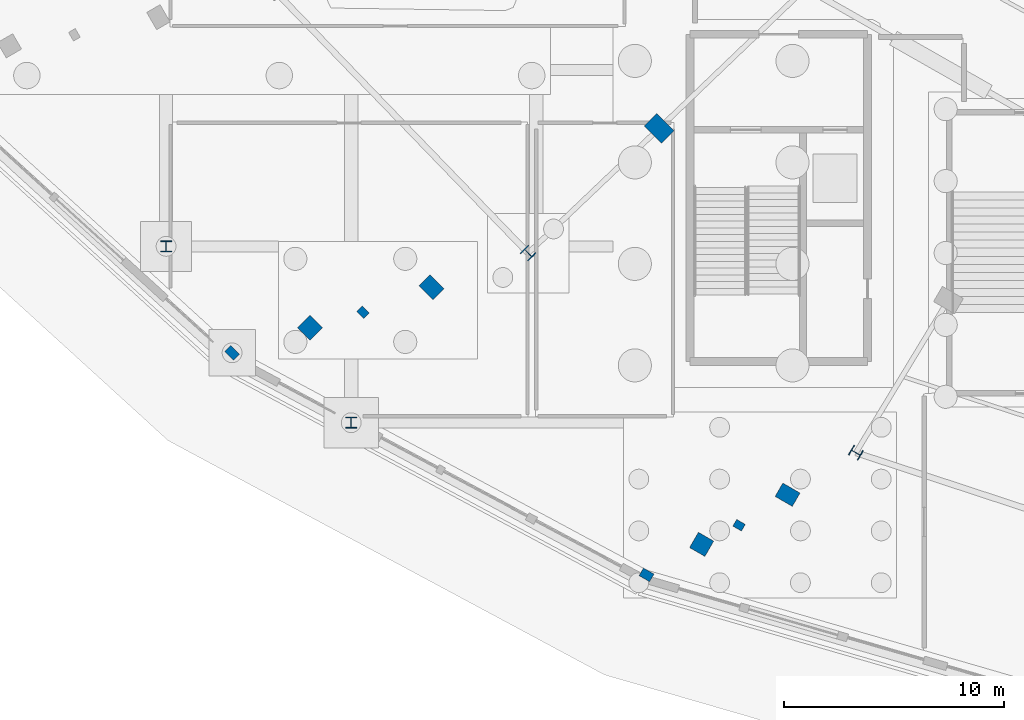
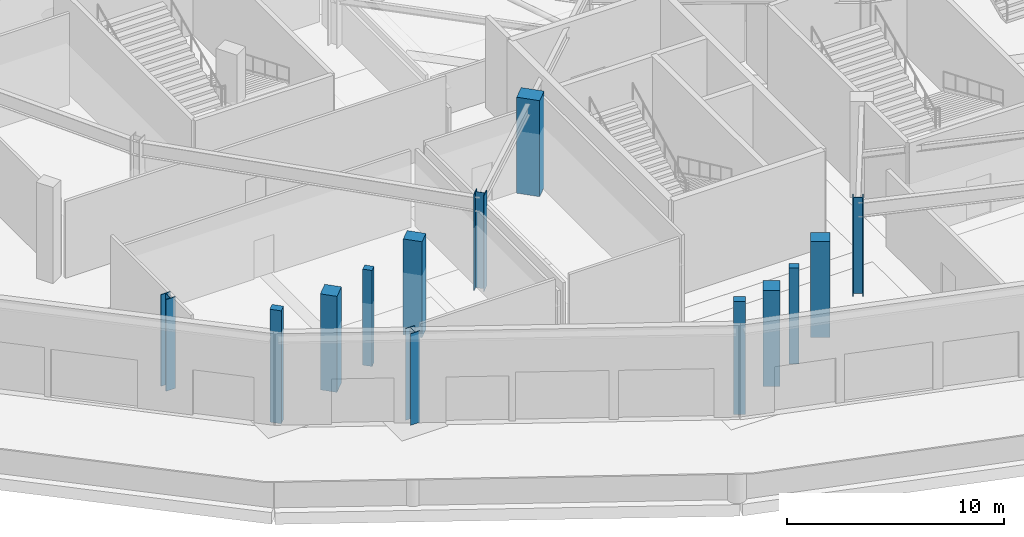
# One storey, part 10 of 93: 13 columns.
"""IFC4 building model written with IfcOpenShell, lengths in metres."""

from ifc_helpers import new_model, si_unit, direction, frame, origin, origin_2d, place, context, subcontext, project, spatial, rectangle, i_section, extrude, material, material_profile, profile_set, type_object, element, save


model = new_model("IFC4")

# Units and contexts
model_context = context("Model", 3, precision=1e-05, world=origin(), true_north=direction((0.0, 1.0)))
body_context = subcontext(model_context, "Body", "Model", "MODEL_VIEW")
ifc_project = project(units=[si_unit("LENGTHUNIT", "METRE"), si_unit("AREAUNIT", "SQUARE_METRE"), si_unit("VOLUMEUNIT", "CUBIC_METRE"), si_unit("PLANEANGLEUNIT", "RADIAN"), si_unit("MASSUNIT", "GRAM", prefix="KILO")], contexts=[model_context])

# Site, building, storey
site_placement = place(None, origin())
site = spatial("IfcSite", under=ifc_project, at=site_placement, CompositionType="ELEMENT")
building_placement = place(site_placement, origin())
building = spatial("IfcBuilding", under=site, at=building_placement, Name="Kalgoora Escarpment Arena", CompositionType="ELEMENT")
storey_placement = place(building_placement, origin())
storey = spatial("IfcBuildingStorey", under=building, at=storey_placement, Name="L00", CompositionType="ELEMENT", Elevation=0.0)

# Columns
ifc_material_1 = material(Name="Structural steel Grade 350 (350 MPa)", Category="steel")
ifc_material_profile_1 = material_profile(ifc_material_1, i_section(OverallWidth=0.5, OverallDepth=0.5, WebThickness=0.02001953125, FlangeThickness=0.034912109375, at=origin_2d()))
ifc_profile_set_1 = profile_set([ifc_material_profile_1], Name="Structural steel Grade 350 (350 MPa)")
column_type_1 = type_object("IfcColumnType", Name="COL-COL-500WC340", PredefinedType="COLUMN", material=ifc_profile_set_1)
for number, where, z_axis, x_axis, name in (
    (1, (41.629638671875, 23.69482421875, 0.0), (0.0, 0.0, 1.0), (-0.707106781187, -0.707106781187, 0.0), "L00 structural column COL-RCONC2-R16"),
    (2, (56.5, 14.63671875, 0.0), (0.0, 0.0, 1.0), (-0.5, -0.866025403784, 0.0), "L00 structural column COL-RCONC2-R17"),
):
    element("IfcColumn", number, at=place(storey_placement, frame(where, z_axis=z_axis, x_axis=x_axis)), inside=storey, type_object=column_type_1, Name=name, PredefinedType="COLUMN", context=body_context, shape_type="SweptSolid", body=[
        extrude(i_section(OverallWidth=0.5, OverallDepth=0.5, WebThickness=0.02001953125, FlangeThickness=0.034912109375, at=origin_2d()), origin(), (0.0, 0.0, 1.0), 5.39990234375),
    ])
for number, where, z_axis, x_axis, name in (
    (3, (25.199951171875, 24.0, 0.0), (0.0, 0.0, 1.0), (1.0, 0.0, 0.0), "L00 structural column COL-G4-D"),
    (4, (33.60009765625, 16.0, 0.0), (0.0, 0.0, 1.0), (1.0, 0.0, 0.0), "L00 structural column COL-G5-C"),
):
    element("IfcColumn", number, at=place(storey_placement, frame(where, z_axis=z_axis, x_axis=x_axis)), inside=storey, type_object=column_type_1, Name=name, PredefinedType="COLUMN", context=body_context, shape_type="SweptSolid", body=[
        extrude(i_section(OverallWidth=0.5, OverallDepth=0.5, WebThickness=0.02001953125, FlangeThickness=0.034912109375, at=origin_2d()), origin(), (0.0, 0.0, 1.0), 5.14990234375),
    ])
ifc_material_2 = material(Name="Concrete N50 (fc' 50 MPa)", Category="concrete")
ifc_material_profile_2 = material_profile(ifc_material_2, rectangle(XDim=0.800048828125, YDim=1.10009765625, at=origin_2d()))
ifc_profile_set_2 = profile_set([ifc_material_profile_2], Name="Concrete N50 (fc' 50 MPa)")
column_type_2 = type_object("IfcColumnType", Name="COL-COL-RC1100x800", PredefinedType="COLUMN", material=ifc_profile_set_2)
column_placement = place(storey_placement, frame((47.5693359375, 29.351806640625, 0.0), z_axis=(0.0, 0.0, 1.0), x_axis=(-0.707106781187, -0.707106781187, 0.0)))
element("IfcColumn", 5, at=column_placement, inside=storey, type_object=column_type_2, Name="L00 structural column COL-RCONC1-R16", PredefinedType="COLUMN", context=body_context, shape_type="SweptSolid", body=[
    extrude(rectangle(XDim=0.800048828125, YDim=1.10009765625, at=origin_2d()), origin(), (0.0, 0.0, 1.0), 5.39990234375),
])
ifc_material_3 = material(Name="Concrete N50 (fc' 50 MPa)", Category="concrete")
ifc_material_profile_3 = material_profile(ifc_material_3, rectangle(XDim=0.800048828125, YDim=0.800048828125, at=origin_2d()))
ifc_profile_set_3 = profile_set([ifc_material_profile_3], Name="Concrete N50 (fc' 50 MPa)")
column_type_3 = type_object("IfcColumnType", Name="COL-COL-RC800x800", PredefinedType="COLUMN", material=ifc_profile_set_3)
for number, where, z_axis, x_axis, name in (
    (6, (31.730224609375, 20.30078125, 0.0), (0.0, 0.0, 1.0), (-0.707106781187, -0.707106781187, 0.0), "L00 structural column COL-RBASE2-R16"),
    (7, (49.5, 10.4794921875, 0.0), (0.0, 0.0, 1.0), (-0.5, -0.866025403784, 0.0), "L00 structural column COL-RBASE2-R17"),
):
    element("IfcColumn", number, at=place(storey_placement, frame(where, z_axis=z_axis, x_axis=x_axis)), inside=storey, type_object=column_type_3, Name=name, PredefinedType="COLUMN", context=body_context, shape_type="SweptSolid", body=[
        extrude(rectangle(XDim=0.800048828125, YDim=0.800048828125, at=origin_2d()), origin(), (0.0, 0.0, 1.0), 5.39990234375),
    ])
ifc_material_4 = material(Name="Concrete N50 (fc' 50 MPa)", Category="concrete")
ifc_material_profile_4 = material_profile(ifc_material_4, rectangle(XDim=0.699951171875, YDim=0.89990234375, at=origin_2d()))
ifc_profile_set_4 = profile_set([ifc_material_profile_4], Name="Concrete N50 (fc' 50 MPa)")
column_type_4 = type_object("IfcColumnType", Name="COL-COL-RC900x700", PredefinedType="COLUMN", material=ifc_profile_set_4)
for number, where, z_axis, x_axis, name in (
    (8, (37.24560546875, 22.139404296875, 0.0), (0.0, 0.0, 1.0), (-0.707106781187, -0.707106781187, 0.0), "L00 structural column COL-RBASE1-R16"),
    (9, (53.39990234375, 12.731201171875, 0.0), (0.0, 0.0, 1.0), (-0.5, -0.866025403784, 0.0), "L00 structural column COL-RBASE1-R17"),
):
    element("IfcColumn", number, at=place(storey_placement, frame(where, z_axis=z_axis, x_axis=x_axis)), inside=storey, type_object=column_type_4, Name=name, PredefinedType="COLUMN", context=body_context, shape_type="SweptSolid", body=[
        extrude(rectangle(XDim=0.699951171875, YDim=0.89990234375, at=origin_2d()), origin(), (0.0, 0.0, 1.0), 5.39990234375),
    ])
ifc_material_5 = material(Name="Precast concrete N50 (fc' 50 MPa)", Category="concrete")
ifc_material_profile_5 = material_profile(ifc_material_5, rectangle(XDim=0.35009765625, YDim=0.449951171875, at=origin_2d()))
ifc_profile_set_5 = profile_set([ifc_material_profile_5], Name="Precast concrete N50 (fc' 50 MPa)")
column_type_5 = type_object("IfcColumnType", Name="COL-PIL-PC-PILASTER-450x350", PredefinedType="PILASTER", material=ifc_profile_set_5)
for number, where, z_axis, x_axis, name in (
    (10, (34.134033203125, 21.008056640625, 0.0), (0.0, 0.0, 1.0), (-0.707106781187, -0.707106781187, 0.0), "L00 fluted pilaster PIL-061"),
    (11, (51.199951171875, 11.345947265625, 0.0), (0.0, 0.0, 1.0), (-0.5, -0.866025403784, 0.0), "L00 fluted pilaster PIL-062"),
):
    element("IfcColumn", number, at=place(storey_placement, frame(where, z_axis=z_axis, x_axis=x_axis)), inside=storey, type_object=column_type_5, Name=name, PredefinedType="PILASTER", context=body_context, shape_type="SweptSolid", body=[
        extrude(rectangle(XDim=0.35009765625, YDim=0.449951171875, at=origin_2d()), origin(), (0.0, 0.0, 1.0), 5.39990234375),
    ])
ifc_material_6 = material(Name="Precast concrete N50 (fc' 50 MPa)", Category="concrete")
ifc_material_profile_6 = material_profile(ifc_material_6, rectangle(XDim=0.39990234375, YDim=0.550048828125, at=origin_2d()))
ifc_profile_set_6 = profile_set([ifc_material_profile_6], Name="Precast concrete N50 (fc' 50 MPa)")
column_type_6 = type_object("IfcColumnType", Name="COL-PIL-PC-PILASTER-550x400", PredefinedType="PILASTER", material=ifc_profile_set_6)
for number, where, z_axis, x_axis, name in (
    (12, (28.195068359375, 19.1689453125, 0.0), (0.0, 0.0, 1.0), (-0.707106781187, -0.707106781187, 0.0), "L00 fluted pilaster PIL-037"),
    (13, (47.0, 9.093994140625, 0.0), (0.0, 0.0, 1.0), (-0.5, -0.866025403784, 0.0), "L00 fluted pilaster PIL-038"),
):
    element("IfcColumn", number, at=place(storey_placement, frame(where, z_axis=z_axis, x_axis=x_axis)), inside=storey, type_object=column_type_6, Name=name, PredefinedType="PILASTER", context=body_context, shape_type="SweptSolid", body=[
        extrude(rectangle(XDim=0.39990234375, YDim=0.550048828125, at=origin_2d()), origin(), (0.0, 0.0, 1.0), 6.35009765625),
    ])

save(model, "model.ifc")
